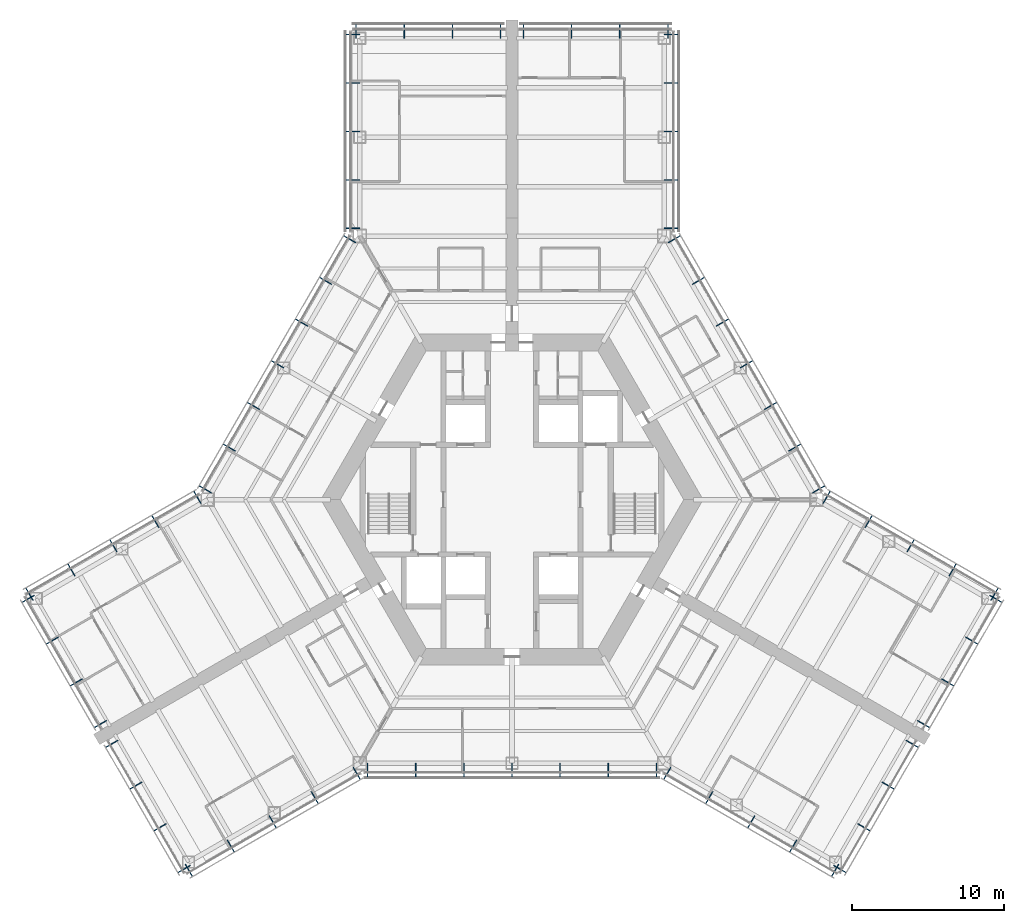
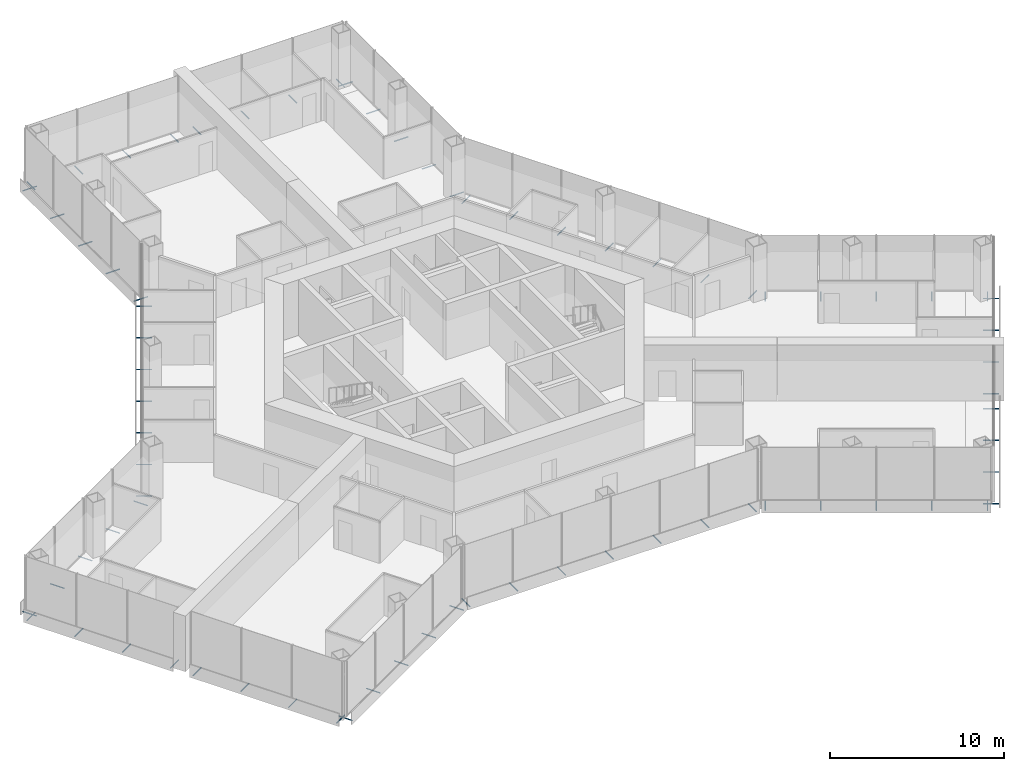
# One storey, part 17 of 19: 75 discrete accessories.
"""IFC4 building model written with IfcOpenShell, lengths in metres."""

from ifc_helpers import new_model, si_unit, direction, frame, origin, origin_2d, place, context, subcontext, project, spatial, hollow_circle, extrude, material, material_profile, profile_set, type_object, element, save


model = new_model("IFC4")

# Units and contexts
model_context = context("Model", 3, precision=1e-05, world=origin(), true_north=direction((0.0, 1.0)))
body_context = subcontext(model_context, "Body", "Model", "MODEL_VIEW")
ifc_project = project(units=[si_unit("LENGTHUNIT", "METRE"), si_unit("AREAUNIT", "SQUARE_METRE"), si_unit("VOLUMEUNIT", "CUBIC_METRE"), si_unit("PLANEANGLEUNIT", "RADIAN"), si_unit("MASSUNIT", "GRAM", prefix="KILO")], contexts=[model_context])

# Site, building, storey
site_placement = place(None, origin())
site = spatial("IfcSite", under=ifc_project, at=site_placement, CompositionType="ELEMENT")
building_placement = place(site_placement, origin())
building = spatial("IfcBuilding", under=site, at=building_placement, Name="Kasaneha Research Tower", CompositionType="ELEMENT")
storey_placement = place(building_placement, frame((0.0, 0.0, 100.199951171875)))
storey = spatial("IfcBuildingStorey", under=building, at=storey_placement, Name="L25", CompositionType="ELEMENT", Elevation=100.199951171875)

# Discrete accessories
ifc_material = material(Name="Steel STK400", Category="steel")
ifc_material_profile = material_profile(ifc_material, hollow_circle(Radius=0.0380859375, WallThickness=0.00390625, at=origin_2d()), Name="CHS-76.3x4.0")
ifc_profile_set = profile_set([ifc_material_profile], Name="Steel STK400")
discrete_accessory_type = type_object("IfcDiscreteAccessoryType", Name="Screen bracket CHS-76.3x4.0", PredefinedType="BRACKET", material=ifc_profile_set)
discrete_accessory_1_placement = place(storey_placement, frame((-21.474853515625, -23.945556640625, -0.300048828125), z_axis=(0.500021113727, -0.866013213425, 0.0), x_axis=(0.866013213425, 0.500021113727, 0.0)))
element("IfcDiscreteAccessory", 1, at=discrete_accessory_1_placement, inside=storey, type_object=discrete_accessory_type, Name="Screen bracket 1", PredefinedType="BRACKET", context=body_context, shape_type="SweptSolid", body=[
    extrude(hollow_circle(Radius=0.0380859375, WallThickness=0.00390625, at=origin_2d()), origin(), (0.0, 0.0, 1.0), 0.919921875),
])
discrete_accessory_2_placement = place(storey_placement, frame((-18.716796875, -22.35302734375, -0.300048828125), z_axis=(0.500105201737, -0.865964657013, 0.0), x_axis=(0.865964657013, 0.500105201737, 0.0)))
element("IfcDiscreteAccessory", 2, at=discrete_accessory_2_placement, inside=storey, type_object=discrete_accessory_type, Name="Screen bracket 2", PredefinedType="BRACKET", context=body_context, shape_type="SweptSolid", body=[
    extrude(hollow_circle(Radius=0.0380859375, WallThickness=0.00390625, at=origin_2d()), origin(), (0.0, 0.0, 1.0), 0.920166015625),
])
discrete_accessory_3_placement = place(storey_placement, frame((-15.95849609375, -20.7607421875, -0.300048828125), z_axis=(0.500021113727, -0.866013213425, 0.0), x_axis=(0.866013213425, 0.500021113727, 0.0)))
element("IfcDiscreteAccessory", 3, at=discrete_accessory_3_placement, inside=storey, type_object=discrete_accessory_type, Name="Screen bracket 3", PredefinedType="BRACKET", context=body_context, shape_type="SweptSolid", body=[
    extrude(hollow_circle(Radius=0.0380859375, WallThickness=0.00390625, at=origin_2d()), origin(), (0.0, 0.0, 1.0), 0.919921875),
])
discrete_accessory_4_placement = place(storey_placement, frame((-13.200439453125, -19.168212890625, -0.300048828125), z_axis=(0.499906209203, -0.866079547155, 0.0), x_axis=(0.866079547155, 0.499906209203, 0.0)))
element("IfcDiscreteAccessory", 4, at=discrete_accessory_4_placement, inside=storey, type_object=discrete_accessory_type, Name="Screen bracket 4", PredefinedType="BRACKET", context=body_context, shape_type="SweptSolid", body=[
    extrude(hollow_circle(Radius=0.0380859375, WallThickness=0.00390625, at=origin_2d()), origin(), (0.0, 0.0, 1.0), 0.920166015625),
])
for number, where, z_axis, x_axis, name in (
    (5, (-10.4423828125, -17.575927734375, -0.300048828125), (0.500021113727, -0.866013213425, 0.0), (0.866013213425, 0.500021113727, 0.0), "Screen bracket 5"),
    (6, (-9.4892578125, -17.320556640625, -0.300048828125), (0.0, -1.0, 0.0), (1.0, 0.0, 0.0), "Screen bracket 1"),
    (7, (-6.326171875, -17.320556640625, -0.300048828125), (0.0, -1.0, 0.0), (1.0, 0.0, 0.0), "Screen bracket 2"),
    (8, (-3.1630859375, -17.320556640625, -0.300048828125), (0.0, -1.0, 0.0), (1.0, 0.0, 0.0), "Screen bracket 3"),
    (9, (0.0, -17.320556640625, -0.300048828125), (0.0, -1.0, 0.0), (1.0, 0.0, 0.0), "Screen bracket 4"),
    (10, (3.1630859375, -17.320556640625, -0.300048828125), (0.0, -1.0, 0.0), (1.0, 0.0, 0.0), "Screen bracket 5"),
    (11, (6.326171875, -17.320556640625, -0.300048828125), (0.0, -1.0, 0.0), (1.0, 0.0, 0.0), "Screen bracket 6"),
    (12, (9.4892578125, -17.320556640625, -0.300048828125), (0.0, -1.0, 0.0), (1.0, 0.0, 0.0), "Screen bracket 7"),
    (13, (10.4423828125, -17.575927734375, -0.300048828125), (-0.500021113727, -0.866013213425, 0.0), (0.866013213425, -0.500021113727, 0.0), "Screen bracket 1"),
):
    element("IfcDiscreteAccessory", number, at=place(storey_placement, frame(where, z_axis=z_axis, x_axis=x_axis)), inside=storey, type_object=discrete_accessory_type, Name=name, PredefinedType="BRACKET", context=body_context, shape_type="SweptSolid", body=[
        extrude(hollow_circle(Radius=0.0380859375, WallThickness=0.00390625, at=origin_2d()), origin(), (0.0, 0.0, 1.0), 0.919921875),
    ])
discrete_accessory_5_placement = place(storey_placement, frame((13.200439453125, -19.168212890625, -0.300048828125), z_axis=(-0.499906209203, -0.866079547155, 0.0), x_axis=(0.866079547155, -0.499906209203, 0.0)))
element("IfcDiscreteAccessory", 14, at=discrete_accessory_5_placement, inside=storey, type_object=discrete_accessory_type, Name="Screen bracket 2", PredefinedType="BRACKET", context=body_context, shape_type="SweptSolid", body=[
    extrude(hollow_circle(Radius=0.0380859375, WallThickness=0.00390625, at=origin_2d()), origin(), (0.0, 0.0, 1.0), 0.920166015625),
])
discrete_accessory_6_placement = place(storey_placement, frame((15.95849609375, -20.7607421875, -0.300048828125), z_axis=(-0.500021113727, -0.866013213425, 0.0), x_axis=(0.866013213425, -0.500021113727, 0.0)))
element("IfcDiscreteAccessory", 15, at=discrete_accessory_6_placement, inside=storey, type_object=discrete_accessory_type, Name="Screen bracket 3", PredefinedType="BRACKET", context=body_context, shape_type="SweptSolid", body=[
    extrude(hollow_circle(Radius=0.0380859375, WallThickness=0.00390625, at=origin_2d()), origin(), (0.0, 0.0, 1.0), 0.919921875),
])
discrete_accessory_7_placement = place(storey_placement, frame((18.716796875, -22.35302734375, -0.300048828125), z_axis=(-0.500105201737, -0.865964657013, 0.0), x_axis=(0.865964657013, -0.500105201737, 0.0)))
element("IfcDiscreteAccessory", 16, at=discrete_accessory_7_placement, inside=storey, type_object=discrete_accessory_type, Name="Screen bracket 4", PredefinedType="BRACKET", context=body_context, shape_type="SweptSolid", body=[
    extrude(hollow_circle(Radius=0.0380859375, WallThickness=0.00390625, at=origin_2d()), origin(), (0.0, 0.0, 1.0), 0.920166015625),
])
discrete_accessory_8_placement = place(storey_placement, frame((21.474853515625, -23.945556640625, -0.300048828125), z_axis=(-0.500021113727, -0.866013213425, 0.0), x_axis=(0.866013213425, -0.500021113727, 0.0)))
element("IfcDiscreteAccessory", 17, at=discrete_accessory_8_placement, inside=storey, type_object=discrete_accessory_type, Name="Screen bracket 5", PredefinedType="BRACKET", context=body_context, shape_type="SweptSolid", body=[
    extrude(hollow_circle(Radius=0.0380859375, WallThickness=0.00390625, at=origin_2d()), origin(), (0.0, 0.0, 1.0), 0.919921875),
])
for number, where, z_axis, x_axis, name in (
    (18, (21.13330078125, -24.037109375, -0.300048828125), (0.866079547155, -0.499906209203, 0.0), (0.499906209203, 0.866079547155, 0.0), "Screen bracket 1"),
    (19, (22.716552734375, -21.294677734375, -0.300048828125), (0.866079547155, -0.499906209203, 0.0), (0.499906209203, 0.866079547155, 0.0), "Screen bracket 2"),
):
    element("IfcDiscreteAccessory", number, at=place(storey_placement, frame(where, z_axis=z_axis, x_axis=x_axis)), inside=storey, type_object=discrete_accessory_type, Name=name, PredefinedType="BRACKET", context=body_context, shape_type="SweptSolid", body=[
        extrude(hollow_circle(Radius=0.0380859375, WallThickness=0.00390625, at=origin_2d()), origin(), (0.0, 0.0, 1.0), 0.920166015625),
    ])
discrete_accessory_9_placement = place(storey_placement, frame((24.300048828125, -18.55224609375, -0.300048828125), z_axis=(0.866013213425, -0.500021113727, 0.0), x_axis=(0.500021113727, 0.866013213425, 0.0)))
element("IfcDiscreteAccessory", 20, at=discrete_accessory_9_placement, inside=storey, type_object=discrete_accessory_type, Name="Screen bracket 3", PredefinedType="BRACKET", context=body_context, shape_type="SweptSolid", body=[
    extrude(hollow_circle(Radius=0.0380859375, WallThickness=0.00390625, at=origin_2d()), origin(), (0.0, 0.0, 1.0), 0.919921875),
])
for number, where, z_axis, x_axis, name in (
    (21, (25.88330078125, -15.809814453125, -0.300048828125), (0.866079547155, -0.499906209203, 0.0), (0.499906209203, 0.866079547155, 0.0), "Screen bracket 4"),
    (22, (26.63330078125, -14.5107421875, -0.300048828125), (0.866079547155, -0.499906209203, 0.0), (0.499906209203, 0.866079547155, 0.0), "Screen bracket 1"),
    (23, (28.216552734375, -11.768310546875, -0.300048828125), (0.866079547155, -0.499906209203, 0.0), (0.499906209203, 0.866079547155, 0.0), "Screen bracket 2"),
):
    element("IfcDiscreteAccessory", number, at=place(storey_placement, frame(where, z_axis=z_axis, x_axis=x_axis)), inside=storey, type_object=discrete_accessory_type, Name=name, PredefinedType="BRACKET", context=body_context, shape_type="SweptSolid", body=[
        extrude(hollow_circle(Radius=0.0380859375, WallThickness=0.00390625, at=origin_2d()), origin(), (0.0, 0.0, 1.0), 0.920166015625),
    ])
discrete_accessory_10_placement = place(storey_placement, frame((29.800048828125, -9.02587890625, -0.300048828125), z_axis=(0.866013213425, -0.500021113727, 0.0), x_axis=(0.500021113727, 0.866013213425, 0.0)))
element("IfcDiscreteAccessory", 24, at=discrete_accessory_10_placement, inside=storey, type_object=discrete_accessory_type, Name="Screen bracket 3", PredefinedType="BRACKET", context=body_context, shape_type="SweptSolid", body=[
    extrude(hollow_circle(Radius=0.0380859375, WallThickness=0.00390625, at=origin_2d()), origin(), (0.0, 0.0, 1.0), 0.919921875),
])
discrete_accessory_11_placement = place(storey_placement, frame((31.38330078125, -6.283447265625, -0.300048828125), z_axis=(0.866079547155, -0.499906209203, 0.0), x_axis=(0.499906209203, 0.866079547155, 0.0)))
element("IfcDiscreteAccessory", 25, at=discrete_accessory_11_placement, inside=storey, type_object=discrete_accessory_type, Name="Screen bracket 4", PredefinedType="BRACKET", context=body_context, shape_type="SweptSolid", body=[
    extrude(hollow_circle(Radius=0.0380859375, WallThickness=0.00390625, at=origin_2d()), origin(), (0.0, 0.0, 1.0), 0.920166015625),
])
discrete_accessory_12_placement = place(storey_placement, frame((31.474853515625, -6.625, -0.300048828125), z_axis=(0.500021113727, 0.866013213425, 0.0), x_axis=(-0.866013213425, 0.500021113727, 0.0)))
element("IfcDiscreteAccessory", 26, at=discrete_accessory_12_placement, inside=storey, type_object=discrete_accessory_type, Name="Screen bracket 1", PredefinedType="BRACKET", context=body_context, shape_type="SweptSolid", body=[
    extrude(hollow_circle(Radius=0.0380859375, WallThickness=0.00390625, at=origin_2d()), origin(), (0.0, 0.0, 1.0), 0.919921875),
])
discrete_accessory_13_placement = place(storey_placement, frame((28.716796875, -5.03271484375, -0.300048828125), z_axis=(0.499906209203, 0.866079547155, 0.0), x_axis=(-0.866079547155, 0.499906209203, 0.0)))
element("IfcDiscreteAccessory", 27, at=discrete_accessory_13_placement, inside=storey, type_object=discrete_accessory_type, Name="Screen bracket 2", PredefinedType="BRACKET", context=body_context, shape_type="SweptSolid", body=[
    extrude(hollow_circle(Radius=0.0380859375, WallThickness=0.00390625, at=origin_2d()), origin(), (0.0, 0.0, 1.0), 0.920166015625),
])
discrete_accessory_14_placement = place(storey_placement, frame((25.95849609375, -3.440185546875, -0.300048828125), z_axis=(0.500220121494, 0.865898279276, 0.0), x_axis=(-0.865898279276, 0.500220121494, 0.0)))
element("IfcDiscreteAccessory", 28, at=discrete_accessory_14_placement, inside=storey, type_object=discrete_accessory_type, Name="Screen bracket 3", PredefinedType="BRACKET", context=body_context, shape_type="SweptSolid", body=[
    extrude(hollow_circle(Radius=0.0380859375, WallThickness=0.00390625, at=origin_2d()), origin(), (0.0, 0.0, 1.0), 0.919921875),
])
discrete_accessory_15_placement = place(storey_placement, frame((23.200439453125, -1.847900390625, -0.300048828125), z_axis=(0.499906209203, 0.866079547155, 0.0), x_axis=(-0.866079547155, 0.499906209203, 0.0)))
element("IfcDiscreteAccessory", 29, at=discrete_accessory_15_placement, inside=storey, type_object=discrete_accessory_type, Name="Screen bracket 4", PredefinedType="BRACKET", context=body_context, shape_type="SweptSolid", body=[
    extrude(hollow_circle(Radius=0.0380859375, WallThickness=0.00390625, at=origin_2d()), origin(), (0.0, 0.0, 1.0), 0.920166015625),
])
for number, where, z_axis, x_axis, name in (
    (30, (20.4423828125, -0.25537109375, -0.300048828125), (0.500021113727, 0.866013213425, 0.0), (-0.866013213425, 0.500021113727, 0.0), "Screen bracket 5"),
    (31, (19.74462890625, 0.4423828125, -0.300048828125), (0.866013213425, 0.500021113727, 0.0), (-0.500021113727, 0.866013213425, 0.0), "Screen bracket 1"),
    (32, (18.1630859375, 3.181640625, -0.300048828125), (0.866013213425, 0.500021113727, 0.0), (-0.500021113727, 0.866013213425, 0.0), "Screen bracket 2"),
    (33, (16.58154296875, 5.9208984375, -0.300048828125), (0.866013213425, 0.500021113727, 0.0), (-0.500021113727, 0.866013213425, 0.0), "Screen bracket 3"),
    (34, (15.0, 8.66015625, -0.300048828125), (0.865898279276, 0.500220121494, 0.0), (-0.500220121494, 0.865898279276, 0.0), "Screen bracket 4"),
    (35, (13.41845703125, 11.399658203125, -0.300048828125), (0.866013213425, 0.500021113727, 0.0), (-0.500021113727, 0.866013213425, 0.0), "Screen bracket 5"),
    (36, (11.8369140625, 14.138916015625, -0.300048828125), (0.866013213425, 0.500021113727, 0.0), (-0.500021113727, 0.866013213425, 0.0), "Screen bracket 6"),
):
    element("IfcDiscreteAccessory", number, at=place(storey_placement, frame(where, z_axis=z_axis, x_axis=x_axis)), inside=storey, type_object=discrete_accessory_type, Name=name, PredefinedType="BRACKET", context=body_context, shape_type="SweptSolid", body=[
        extrude(hollow_circle(Radius=0.0380859375, WallThickness=0.00390625, at=origin_2d()), origin(), (0.0, 0.0, 1.0), 0.919921875),
    ])
discrete_accessory_16_placement = place(storey_placement, frame((10.25537109375, 16.878173828125, -0.300048828125), z_axis=(0.866079547155, 0.499906209203, 0.0), x_axis=(-0.499906209203, 0.866079547155, 0.0)))
element("IfcDiscreteAccessory", 37, at=discrete_accessory_16_placement, inside=storey, type_object=discrete_accessory_type, Name="Screen bracket 7", PredefinedType="BRACKET", context=body_context, shape_type="SweptSolid", body=[
    extrude(hollow_circle(Radius=0.0380859375, WallThickness=0.00390625, at=origin_2d()), origin(), (0.0, 0.0, 1.0), 0.920166015625),
])
for number, where, z_axis, x_axis, name in (
    (38, (10.0, 17.831298828125, -0.300048828125), (1.0, 0.0, 0.0), (0.0, 1.0, 0.0), "Screen bracket 1"),
    (39, (10.0, 21.01611328125, -0.300048828125), (1.0, 0.0, 0.0), (0.0, 1.0, 0.0), "Screen bracket 2"),
    (40, (10.0, 24.200927734375, -0.300048828125), (1.0, 0.0, 0.0), (0.0, 1.0, 0.0), "Screen bracket 3"),
    (41, (10.0, 27.3857421875, -0.300048828125), (1.0, 0.0, 0.0), (0.0, 1.0, 0.0), "Screen bracket 4"),
    (42, (10.0, 30.570556640625, -0.300048828125), (1.0, 0.0, 0.0), (0.0, 1.0, 0.0), "Screen bracket 5"),
    (43, (10.25, 30.320556640625, -0.300048828125), (0.0, 1.0, 0.0), (-1.0, 0.0, 0.0), "Screen bracket 1"),
    (44, (7.083251953125, 30.320556640625, -0.300048828125), (0.0, 1.0, 0.0), (-1.0, 0.0, 0.0), "Screen bracket 2"),
    (45, (3.916748046875, 30.320556640625, -0.300048828125), (0.0, 1.0, 0.0), (-1.0, 0.0, 0.0), "Screen bracket 3"),
    (46, (0.75, 30.320556640625, -0.300048828125), (0.0, 1.0, 0.0), (-1.0, 0.0, 0.0), "Screen bracket 4"),
    (47, (-0.75, 30.320556640625, -0.300048828125), (0.0, 1.0, 0.0), (-1.0, 0.0, 0.0), "Screen bracket 1"),
    (48, (-3.916748046875, 30.320556640625, -0.300048828125), (0.0, 1.0, 0.0), (-1.0, 0.0, 0.0), "Screen bracket 2"),
    (49, (-7.083251953125, 30.320556640625, -0.300048828125), (0.0, 1.0, 0.0), (-1.0, 0.0, 0.0), "Screen bracket 3"),
    (50, (-10.25, 30.320556640625, -0.300048828125), (0.0, 1.0, 0.0), (-1.0, 0.0, 0.0), "Screen bracket 4"),
    (51, (-10.0, 30.570556640625, -0.300048828125), (-1.0, 0.0, 0.0), (0.0, -1.0, 0.0), "Screen bracket 1"),
    (52, (-10.0, 27.3857421875, -0.300048828125), (-1.0, 0.0, 0.0), (0.0, -1.0, 0.0), "Screen bracket 2"),
    (53, (-10.0, 24.200927734375, -0.300048828125), (-1.0, 0.0, 0.0), (0.0, -1.0, 0.0), "Screen bracket 3"),
    (54, (-10.0, 21.01611328125, -0.300048828125), (-1.0, 0.0, 0.0), (0.0, -1.0, 0.0), "Screen bracket 4"),
    (55, (-10.0, 17.831298828125, -0.300048828125), (-1.0, 0.0, 0.0), (0.0, -1.0, 0.0), "Screen bracket 5"),
):
    element("IfcDiscreteAccessory", number, at=place(storey_placement, frame(where, z_axis=z_axis, x_axis=x_axis)), inside=storey, type_object=discrete_accessory_type, Name=name, PredefinedType="BRACKET", context=body_context, shape_type="SweptSolid", body=[
        extrude(hollow_circle(Radius=0.0380859375, WallThickness=0.00390625, at=origin_2d()), origin(), (0.0, 0.0, 1.0), 0.919921875),
    ])
discrete_accessory_17_placement = place(storey_placement, frame((-10.25537109375, 16.878173828125, -0.300048828125), z_axis=(-0.866079547155, 0.499906209203, 0.0), x_axis=(-0.499906209203, -0.866079547155, 0.0)))
element("IfcDiscreteAccessory", 56, at=discrete_accessory_17_placement, inside=storey, type_object=discrete_accessory_type, Name="Screen bracket 1", PredefinedType="BRACKET", context=body_context, shape_type="SweptSolid", body=[
    extrude(hollow_circle(Radius=0.0380859375, WallThickness=0.00390625, at=origin_2d()), origin(), (0.0, 0.0, 1.0), 0.920166015625),
])
for number, where, z_axis, x_axis, name in (
    (57, (-11.8369140625, 14.138916015625, -0.300048828125), (-0.866013213425, 0.500021113727, 0.0), (-0.500021113727, -0.866013213425, 0.0), "Screen bracket 2"),
    (58, (-13.41845703125, 11.399658203125, -0.300048828125), (-0.866013213425, 0.500021113727, 0.0), (-0.500021113727, -0.866013213425, 0.0), "Screen bracket 3"),
    (59, (-15.0, 8.66015625, -0.300048828125), (-0.865898279276, 0.500220121494, 0.0), (-0.500220121494, -0.865898279276, 0.0), "Screen bracket 4"),
    (60, (-16.58154296875, 5.9208984375, -0.300048828125), (-0.866013213425, 0.500021113727, 0.0), (-0.500021113727, -0.866013213425, 0.0), "Screen bracket 5"),
    (61, (-18.1630859375, 3.181640625, -0.300048828125), (-0.866013213425, 0.500021113727, 0.0), (-0.500021113727, -0.866013213425, 0.0), "Screen bracket 6"),
    (62, (-19.74462890625, 0.4423828125, -0.300048828125), (-0.866013213425, 0.500021113727, 0.0), (-0.500021113727, -0.866013213425, 0.0), "Screen bracket 7"),
    (63, (-20.4423828125, -0.25537109375, -0.300048828125), (-0.500021113727, 0.866013213425, 0.0), (-0.866013213425, -0.500021113727, 0.0), "Screen bracket 1"),
):
    element("IfcDiscreteAccessory", number, at=place(storey_placement, frame(where, z_axis=z_axis, x_axis=x_axis)), inside=storey, type_object=discrete_accessory_type, Name=name, PredefinedType="BRACKET", context=body_context, shape_type="SweptSolid", body=[
        extrude(hollow_circle(Radius=0.0380859375, WallThickness=0.00390625, at=origin_2d()), origin(), (0.0, 0.0, 1.0), 0.919921875),
    ])
discrete_accessory_18_placement = place(storey_placement, frame((-23.200439453125, -1.847900390625, -0.300048828125), z_axis=(-0.499906209203, 0.866079547155, 0.0), x_axis=(-0.866079547155, -0.499906209203, 0.0)))
element("IfcDiscreteAccessory", 64, at=discrete_accessory_18_placement, inside=storey, type_object=discrete_accessory_type, Name="Screen bracket 2", PredefinedType="BRACKET", context=body_context, shape_type="SweptSolid", body=[
    extrude(hollow_circle(Radius=0.0380859375, WallThickness=0.00390625, at=origin_2d()), origin(), (0.0, 0.0, 1.0), 0.920166015625),
])
discrete_accessory_19_placement = place(storey_placement, frame((-25.95849609375, -3.440185546875, -0.300048828125), z_axis=(-0.500220121494, 0.865898279276, 0.0), x_axis=(-0.865898279276, -0.500220121494, 0.0)))
element("IfcDiscreteAccessory", 65, at=discrete_accessory_19_placement, inside=storey, type_object=discrete_accessory_type, Name="Screen bracket 3", PredefinedType="BRACKET", context=body_context, shape_type="SweptSolid", body=[
    extrude(hollow_circle(Radius=0.0380859375, WallThickness=0.00390625, at=origin_2d()), origin(), (0.0, 0.0, 1.0), 0.919921875),
])
discrete_accessory_20_placement = place(storey_placement, frame((-28.716796875, -5.03271484375, -0.300048828125), z_axis=(-0.499906209203, 0.866079547155, 0.0), x_axis=(-0.866079547155, -0.499906209203, 0.0)))
element("IfcDiscreteAccessory", 66, at=discrete_accessory_20_placement, inside=storey, type_object=discrete_accessory_type, Name="Screen bracket 4", PredefinedType="BRACKET", context=body_context, shape_type="SweptSolid", body=[
    extrude(hollow_circle(Radius=0.0380859375, WallThickness=0.00390625, at=origin_2d()), origin(), (0.0, 0.0, 1.0), 0.920166015625),
])
discrete_accessory_21_placement = place(storey_placement, frame((-31.474853515625, -6.625, -0.300048828125), z_axis=(-0.500021113727, 0.866013213425, 0.0), x_axis=(-0.866013213425, -0.500021113727, 0.0)))
element("IfcDiscreteAccessory", 67, at=discrete_accessory_21_placement, inside=storey, type_object=discrete_accessory_type, Name="Screen bracket 5", PredefinedType="BRACKET", context=body_context, shape_type="SweptSolid", body=[
    extrude(hollow_circle(Radius=0.0380859375, WallThickness=0.00390625, at=origin_2d()), origin(), (0.0, 0.0, 1.0), 0.919921875),
])
discrete_accessory_22_placement = place(storey_placement, frame((-31.38330078125, -6.283447265625, -0.300048828125), z_axis=(-0.866079547155, -0.499906209203, 0.0), x_axis=(0.499906209203, -0.866079547155, 0.0)))
element("IfcDiscreteAccessory", 68, at=discrete_accessory_22_placement, inside=storey, type_object=discrete_accessory_type, Name="Screen bracket 1", PredefinedType="BRACKET", context=body_context, shape_type="SweptSolid", body=[
    extrude(hollow_circle(Radius=0.0380859375, WallThickness=0.00390625, at=origin_2d()), origin(), (0.0, 0.0, 1.0), 0.920166015625),
])
discrete_accessory_23_placement = place(storey_placement, frame((-29.800048828125, -9.02587890625, -0.300048828125), z_axis=(-0.866013213425, -0.500021113727, 0.0), x_axis=(0.500021113727, -0.866013213425, 0.0)))
element("IfcDiscreteAccessory", 69, at=discrete_accessory_23_placement, inside=storey, type_object=discrete_accessory_type, Name="Screen bracket 2", PredefinedType="BRACKET", context=body_context, shape_type="SweptSolid", body=[
    extrude(hollow_circle(Radius=0.0380859375, WallThickness=0.00390625, at=origin_2d()), origin(), (0.0, 0.0, 1.0), 0.919921875),
])
for number, where, z_axis, x_axis, name in (
    (70, (-28.216552734375, -11.768310546875, -0.300048828125), (-0.866079547155, -0.499906209203, 0.0), (0.499906209203, -0.866079547155, 0.0), "Screen bracket 3"),
    (71, (-26.63330078125, -14.5107421875, -0.300048828125), (-0.866079547155, -0.499906209203, 0.0), (0.499906209203, -0.866079547155, 0.0), "Screen bracket 4"),
    (72, (-25.88330078125, -15.809814453125, -0.300048828125), (-0.866079547155, -0.499906209203, 0.0), (0.499906209203, -0.866079547155, 0.0), "Screen bracket 1"),
):
    element("IfcDiscreteAccessory", number, at=place(storey_placement, frame(where, z_axis=z_axis, x_axis=x_axis)), inside=storey, type_object=discrete_accessory_type, Name=name, PredefinedType="BRACKET", context=body_context, shape_type="SweptSolid", body=[
        extrude(hollow_circle(Radius=0.0380859375, WallThickness=0.00390625, at=origin_2d()), origin(), (0.0, 0.0, 1.0), 0.920166015625),
    ])
discrete_accessory_24_placement = place(storey_placement, frame((-24.300048828125, -18.55224609375, -0.300048828125), z_axis=(-0.866013213425, -0.500021113727, 0.0), x_axis=(0.500021113727, -0.866013213425, 0.0)))
element("IfcDiscreteAccessory", 73, at=discrete_accessory_24_placement, inside=storey, type_object=discrete_accessory_type, Name="Screen bracket 2", PredefinedType="BRACKET", context=body_context, shape_type="SweptSolid", body=[
    extrude(hollow_circle(Radius=0.0380859375, WallThickness=0.00390625, at=origin_2d()), origin(), (0.0, 0.0, 1.0), 0.919921875),
])
for number, where, z_axis, x_axis, name in (
    (74, (-22.716552734375, -21.294677734375, -0.300048828125), (-0.866079547155, -0.499906209203, 0.0), (0.499906209203, -0.866079547155, 0.0), "Screen bracket 3"),
    (75, (-21.13330078125, -24.037109375, -0.300048828125), (-0.866079547155, -0.499906209203, 0.0), (0.499906209203, -0.866079547155, 0.0), "Screen bracket 4"),
):
    element("IfcDiscreteAccessory", number, at=place(storey_placement, frame(where, z_axis=z_axis, x_axis=x_axis)), inside=storey, type_object=discrete_accessory_type, Name=name, PredefinedType="BRACKET", context=body_context, shape_type="SweptSolid", body=[
        extrude(hollow_circle(Radius=0.0380859375, WallThickness=0.00390625, at=origin_2d()), origin(), (0.0, 0.0, 1.0), 0.920166015625),
    ])

save(model, "model.ifc")
